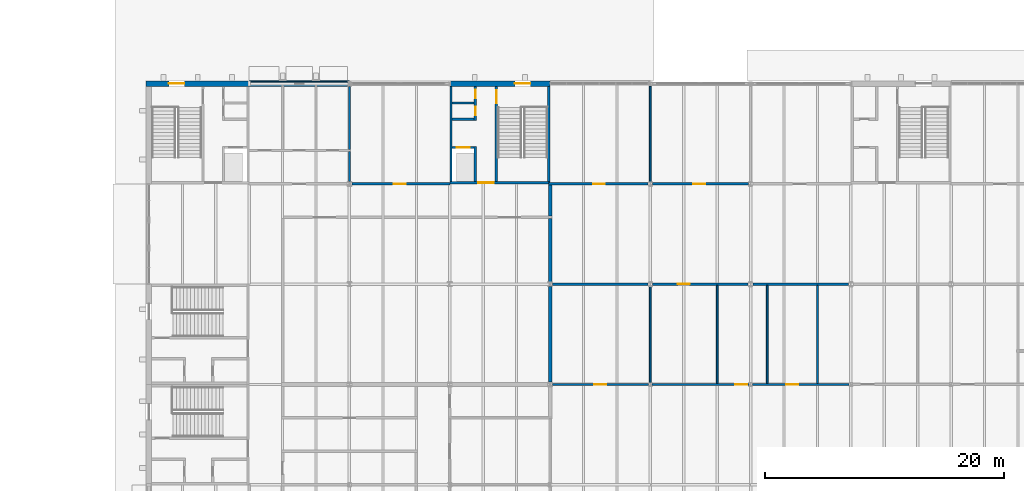
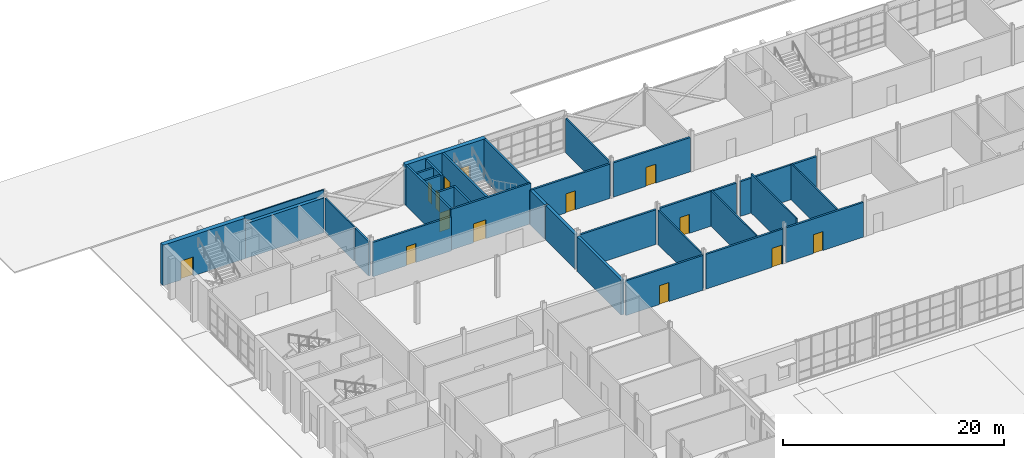
# One storey, part 91 of 116: 32 walls, 14 doors, 14 openings.
"""IFC4 building model written with IfcOpenShell, lengths in metres."""

import ifcopenshell
import ifcopenshell.guid

model = None  # the IFC model being written
_history = None  # IfcOwnerHistory: only IFC2X3 demands one
_inside = {}  # id of a spatial element -> (the spatial element, [elements in it])
_under = {}  # id of a project, library or spatial element -> (it, [spatial elements below it])
_declared = {}  # id of a project -> (the project, [libraries it declares])
_typed = {}  # id of a type object -> (the type object, [elements of that type])
_made_of = {}  # id of a material, layer set ... -> (it, [elements and type objects made of it])


def new_model(schema):
    """Start an empty IFC model of exactly this schema.

    Asked for "IFC4X3", IfcOpenShell would pick the latest addendum, in which some entities
    have other attributes; the version numbers below select the first issue.
    IFC2X3 requires an IfcOwnerHistory on every rooted entity: one is made here for all.
    """
    global model, _history
    if schema == "IFC4X3":
        model = ifcopenshell.file(schema_version=(4, 3, 0, 0))
    else:
        model = ifcopenshell.file(schema=schema)
    _inside.clear()
    _under.clear()
    _declared.clear()
    _typed.clear()
    _made_of.clear()
    _history = None
    if model.schema == "IFC2X3":
        org = make("IfcOrganization", Name="unknown")
        user = make(
            "IfcPersonAndOrganization",
            ThePerson=make("IfcPerson", FamilyName="unknown"),
            TheOrganization=org,
        )
        app = make(
            "IfcApplication",
            ApplicationDeveloper=org,
            Version="unknown",
            ApplicationFullName="unknown",
            ApplicationIdentifier="unknown",
        )
        _history = make(
            "IfcOwnerHistory",
            OwningUser=user,
            OwningApplication=app,
            ChangeAction="ADDED",
            CreationDate=0,
        )
    return model


def make(cls, **values):
    """One entity of the class cls with the attributes given. An attribute that is None is left unset."""
    return model.create_entity(
        cls, **{name: value for name, value in values.items() if value is not None}
    )


def rooted(cls, **values):
    """An entity with a GlobalId (a new one), such as an element, a storey or a relation."""
    return make(cls, GlobalId=ifcopenshell.guid.new(), OwnerHistory=_history, **values)


def si_unit(unit_type, name, prefix=None):
    """IfcSIUnit, for example si_unit("LENGTHUNIT", "METRE", prefix="MILLI")."""
    return make("IfcSIUnit", UnitType=unit_type, Prefix=prefix, Name=name)


def assignment(units):
    """IfcUnitAssignment: the units of a project."""
    return None if units is None else make("IfcUnitAssignment", Units=units)


def point(xyz):
    """IfcCartesianPoint."""
    return None if xyz is None else make("IfcCartesianPoint", Coordinates=xyz)


def direction(xyz):
    """IfcDirection."""
    return None if xyz is None else make("IfcDirection", DirectionRatios=xyz)


def frame(location, z_axis=None, x_axis=None):
    """IfcAxis2Placement3D, a coordinate frame: its origin and axes. An axis left out is left unset."""
    return make(
        "IfcAxis2Placement3D",
        Location=point(location),
        Axis=direction(z_axis),
        RefDirection=direction(x_axis),
    )


def frame_2d(location, x_axis=None):
    """IfcAxis2Placement2D, a coordinate frame in the plane: its origin and x axis."""
    return make(
        "IfcAxis2Placement2D", Location=point(location), RefDirection=direction(x_axis)
    )


def origin():
    """The frame at (0, 0, 0) with its axes left unset."""
    return frame((0.0, 0.0, 0.0))


def place(relative_to, where):
    """IfcLocalPlacement: puts the frame where relative to a parent placement (None: the world)."""
    return make(
        "IfcLocalPlacement", PlacementRelTo=relative_to, RelativePlacement=where
    )


def context(
    kind, dimensions, precision=None, world=None, true_north=None, identifier=None
):
    """IfcGeometricRepresentationContext, for example the 3D "Model" context."""
    return make(
        "IfcGeometricRepresentationContext",
        ContextIdentifier=identifier,
        ContextType=kind,
        CoordinateSpaceDimension=dimensions,
        Precision=precision,
        WorldCoordinateSystem=world,
        TrueNorth=true_north,
    )


def subcontext(parent, identifier, kind, view, scale=None):
    """IfcGeometricRepresentationSubContext, for example "Body" below "Model"."""
    return make(
        "IfcGeometricRepresentationSubContext",
        ContextIdentifier=identifier,
        ContextType=kind,
        ParentContext=parent,
        TargetScale=scale,
        TargetView=view,
    )


def project(units=None, contexts=None):
    """IfcProject with its units and contexts."""
    return rooted(
        "IfcProject",
        Name="project",
        RepresentationContexts=contexts,
        UnitsInContext=assignment(units),
    )


def spatial(cls, under=None, at=None, **own):
    """A site, building, storey or space (cls), placed at a placement, below another one or the project."""
    s = rooted(cls, ObjectPlacement=at, **own)
    if under is not None:
        _under.setdefault(under.id(), (under, []))[1].append(s)
    return s


def profile(cls, at=None, kind="AREA", **sizes):
    """A parametric profile (cls). Its sizes go by their IFC names, for example OverallWidth=200.0."""
    return make(cls, ProfileType=kind, Position=at, **sizes)


def rectangle(**sizes):
    """IfcRectangleProfileDef."""
    return profile("IfcRectangleProfileDef", **sizes)


def extrude(swept, where, along, depth):
    """IfcExtrudedAreaSolid: the profile swept, set in the frame where, extruded along a direction by depth."""
    return make(
        "IfcExtrudedAreaSolid",
        SweptArea=swept,
        Position=where,
        ExtrudedDirection=direction(along),
        Depth=depth,
    )


def shape(context_of_items, identifier, shape_type, items):
    """IfcShapeRepresentation: the items that make up one representation, for example the "Body"."""
    return make(
        "IfcShapeRepresentation",
        ContextOfItems=context_of_items,
        RepresentationIdentifier=identifier,
        RepresentationType=shape_type,
        Items=items,
    )


def material(Name=None, Category=None):
    """IfcMaterial."""
    return make("IfcMaterial", Name=Name, Category=Category)


def layer(
    of_material, thickness, ventilated=None, Name=None, Category=None, Priority=None
):
    """IfcMaterialLayer: one layer of a wall or slab, of a material (None: an air gap)."""
    return make(
        "IfcMaterialLayer",
        Material=of_material,
        LayerThickness=thickness,
        IsVentilated=ventilated,
        Name=Name,
        Category=Category,
        Priority=Priority,
    )


def layer_set(layers, Name=None):
    """IfcMaterialLayerSet."""
    return make("IfcMaterialLayerSet", MaterialLayers=layers, LayerSetName=Name)


def made_of(thing, what):
    """Note that an element or type object is made of a material, layer set ...; save() writes the relation."""
    if what is not None:
        _made_of.setdefault(what.id(), (what, []))[1].append(thing)
    return thing


def type_object(cls, material=None, **own):
    """A type object (cls), such as IfcWallType, which elements share."""
    return made_of(rooted(cls, **own), material)


def element(
    cls,
    number,
    at=None,
    inside=None,
    cuts=None,
    type_object=None,
    material=None,
    context=None,
    identifier="Body",
    shape_type=None,
    held_by="IfcProductDefinitionShape",
    body=None,
    shapes=None,
    **own,
):
    """One element of the class cls, such as IfcWall. Its Tag is "e" and its number.

    at: its placement. inside: the storey or other place that contains it. cuts: it is an
    opening in that element (IfcRelVoidsElement). A single representation is given by context,
    identifier, shape_type and body (its items); several are given by shapes. held_by: the class
    of the entity that holds the representations. save() writes the other relations.
    """
    e = rooted(cls, Tag="e%d" % number, ObjectPlacement=at, **own)
    if body is not None:
        shapes = [shape(context, identifier, shape_type, body)]
    if shapes is not None:
        e.Representation = make(held_by, Representations=shapes)
    if inside is not None:
        _inside.setdefault(inside.id(), (inside, []))[1].append(e)
    if cuts is not None:
        rooted(
            "IfcRelVoidsElement", RelatingBuildingElement=cuts, RelatedOpeningElement=e
        )
    if type_object is not None:
        _typed.setdefault(type_object.id(), (type_object, []))[1].append(e)
    return made_of(e, material)


def fill(opening, filler):
    """IfcRelFillsElement: the door or window that sits in an opening."""
    return rooted(
        "IfcRelFillsElement",
        RelatingOpeningElement=opening,
        RelatedBuildingElement=filler,
    )


def aggregate(whole, parts):
    """IfcRelAggregates: a whole, such as a stair, and the parts it consists of."""
    return rooted("IfcRelAggregates", RelatingObject=whole, RelatedObjects=parts)


def save(model, path):
    """Write the relations noted so far, then the file.

    IfcRelAggregates (storeys below a building ...), IfcRelContainedInSpatialStructure (elements
    in a storey), IfcRelDefinesByType, IfcRelAssociatesMaterial and IfcRelDeclares: one each for
    every whole, place, type object, material and project.
    """
    for whole, parts in _under.values():
        aggregate(whole, parts)
    for where, things in _inside.values():
        rooted(
            "IfcRelContainedInSpatialStructure",
            RelatedElements=things,
            RelatingStructure=where,
        )
    for kind, things in _typed.values():
        rooted("IfcRelDefinesByType", RelatedObjects=things, RelatingType=kind)
    for what, things in _made_of.values():
        rooted("IfcRelAssociatesMaterial", RelatedObjects=things, RelatingMaterial=what)
    for by, libraries in _declared.values():
        rooted("IfcRelDeclares", RelatingContext=by, RelatedDefinitions=libraries)
    model.write(path)


model = new_model("IFC4")

# Units and contexts
model_context = context("Model", 3, precision=1e-05, world=origin(), true_north=direction((0.0, 1.0)))
body_context = subcontext(model_context, "Body", "Model", "MODEL_VIEW")
ifc_project = project(units=[si_unit("LENGTHUNIT", "METRE"), si_unit("AREAUNIT", "SQUARE_METRE"), si_unit("VOLUMEUNIT", "CUBIC_METRE"), si_unit("PLANEANGLEUNIT", "RADIAN"), si_unit("MASSUNIT", "GRAM", prefix="KILO")], contexts=[model_context])

# Site, building, storey
site_placement = place(None, origin())
site = spatial("IfcSite", under=ifc_project, at=site_placement, CompositionType="ELEMENT")
building_placement = place(site_placement, origin())
building = spatial("IfcBuilding", under=site, at=building_placement, Name="Ardhachandra Cancer Care Centre", CompositionType="ELEMENT")
storey_placement = place(building_placement, origin())
storey = spatial("IfcBuildingStorey", under=building, at=storey_placement, Name="L00", CompositionType="ELEMENT", Elevation=0.0)

# Walls
ifc_material_1 = material(Name="Brick masonry", Category="masonry")
ifc_layer_1 = layer(ifc_material_1, 0.300048828125)
ifc_layer_set_1 = layer_set([ifc_layer_1], Name="Brick masonry")
wall_type_1 = type_object("IfcWallType", Name="COMPARTMENT WALL 300", PredefinedType="SOLIDWALL", material=ifc_layer_set_1)
wall_1_placement = place(storey_placement, frame((44.39990234375, 71.595458984375, 0.0), z_axis=(0.0, 0.0, 1.0), x_axis=(0.0, 1.0, 0.0)))
element("IfcWall", 1, at=wall_1_placement, inside=storey, type_object=wall_type_1, Name="R/wall/L00/v0044400_0071596", PredefinedType="SOLIDWALL", context=body_context, shape_type="SweptSolid", body=[
    extrude(rectangle(XDim=8.009033203125, YDim=0.300048828125, at=frame_2d((4.00439453125, 0.0))), origin(), (0.0, 0.0, 1.0), 3.85009765625),
])
wall_2_placement = place(storey_placement, frame((44.39990234375, 79.99560546875, 0.0), z_axis=(0.0, 0.0, 1.0), x_axis=(0.0, 1.0, 0.0)))
element("IfcWall", 2, at=wall_2_placement, inside=storey, type_object=wall_type_1, Name="R/wall/L00/v0044400_0079996", PredefinedType="SOLIDWALL", context=body_context, shape_type="SweptSolid", body=[
    extrude(rectangle(XDim=5.304443359375, YDim=0.300048828125, at=frame_2d((2.65234375, 0.0))), origin(), (0.0, 0.0, 1.0), 3.85009765625),
])
wall_3_placement = place(storey_placement, frame((44.39990234375, 85.5, 0.0), z_axis=(0.0, 0.0, 1.0), x_axis=(0.0, 1.0, 0.0)))
element("IfcWall", 3, at=wall_3_placement, inside=storey, type_object=wall_type_1, Name="R/wall/L00/v0044400_0085500", PredefinedType="SOLIDWALL", context=body_context, shape_type="SweptSolid", body=[
    extrude(rectangle(XDim=2.60009765625, YDim=0.300048828125, at=frame_2d((1.300048828125, 0.0))), origin(), (0.0, 0.0, 1.0), 3.800048828125),
])

# Wall, opening, door
ifc_material_2 = material(Name="Gypsum board corridor partition on steel studs", Category="steel")
ifc_layer_2 = layer(ifc_material_2, 0.199951171875)
ifc_layer_set_2 = layer_set([ifc_layer_2], Name="Gypsum board corridor partition on steel studs")
wall_type_2 = type_object("IfcWallType", Name="CORRIDOR WALL 200", PredefinedType="PARTITIONING", material=ifc_layer_set_2)
wall_4_placement = place(storey_placement, frame((44.595458984375, 71.39990234375, 0.0), z_axis=(0.0, 0.0, 1.0), x_axis=(1.0, 0.0, 0.0)))
wall_4 = element("IfcWall", 4, at=wall_4_placement, inside=storey, type_object=wall_type_2, Name="R/wall/L00/h0071400_0044596", PredefinedType="PARTITIONING", context=body_context, shape_type="SweptSolid", body=[
    extrude(rectangle(XDim=8.054443359375, YDim=0.199951171875, at=frame_2d((4.02734375, 0.0))), origin(), (0.0, 0.0, 1.0), 3.85009765625),
])
opening_1_placement = place(wall_4_placement, frame((3.50439453125, 0.0, 0.0)))
opening_1 = element("IfcOpeningElement", 5, at=opening_1_placement, cuts=wall_4, Name="Opening L00-0018", PredefinedType="OPENING", context=body_context, shape_type="SweptSolid", body=[
    extrude(rectangle(XDim=1.0, YDim=2.10009765625, at=frame_2d((0.5, 1.050048828125))), frame((0.0, 0.10986328125, 0.0), z_axis=(0.0, -1.0, 0.0), x_axis=(1.0, 0.0, 0.0)), (0.0, 0.0, 1.0), 0.219970703125),
])
ifc_material_3 = material(Name="Timber fire door with smoke seals", Category="wood")
door_type_1 = type_object("IfcDoorType", Name="FIRE DOOR SINGLE 1000x2100 FD30S", OperationType="NOTDEFINED", PredefinedType="DOOR", material=ifc_material_3)
door_1_placement = place(opening_1_placement, origin())
door_1 = element("IfcDoor", 6, at=door_1_placement, inside=storey, type_object=door_type_1, Name="Door L00-0018", OperationType="SINGLE_SWING_RIGHT", OverallHeight=2.10009765625, OverallWidth=1.0, PredefinedType="DOOR", context=body_context, shape_type="SweptSolid", body=[
    extrude(rectangle(XDim=1.0, YDim=2.10009765625, at=frame_2d((0.5, 1.050048828125))), frame((0.0, 0.02490234375, 0.0), z_axis=(0.0, -1.0, 0.0), x_axis=(1.0, 0.0, 0.0)), (0.0, 0.0, 1.0), 0.050048828125),
])
fill(opening_1, door_1)

wall_5_placement = place(storey_placement, frame((52.949951171875, 71.39990234375, 0.0), z_axis=(0.0, 0.0, 1.0), x_axis=(1.0, 0.0, 0.0)))
wall_5 = element("IfcWall", 7, at=wall_5_placement, inside=storey, type_object=wall_type_2, Name="R/wall/L00/h0071400_0052950", PredefinedType="PARTITIONING", context=body_context, shape_type="SweptSolid", body=[
    extrude(rectangle(XDim=8.10009765625, YDim=0.199951171875, at=frame_2d((4.050048828125, 0.0))), origin(), (0.0, 0.0, 1.0), 3.85009765625),
])
opening_2_placement = place(wall_5_placement, frame((6.949951171875, 0.0, 0.0)))
opening_2 = element("IfcOpeningElement", 8, at=opening_2_placement, cuts=wall_5, Name="Opening L00-0019", PredefinedType="OPENING", context=body_context, shape_type="SweptSolid", body=[
    extrude(rectangle(XDim=1.0, YDim=2.10009765625, at=frame_2d((0.5, 1.050048828125))), frame((0.0, 0.10986328125, 0.0), z_axis=(0.0, -1.0, 0.0), x_axis=(1.0, 0.0, 0.0)), (0.0, 0.0, 1.0), 0.219970703125),
])
door_2_placement = place(opening_2_placement, origin())
door_2 = element("IfcDoor", 9, at=door_2_placement, inside=storey, type_object=door_type_1, Name="Door L00-0019", OperationType="SINGLE_SWING_LEFT", OverallHeight=2.10009765625, OverallWidth=1.0, PredefinedType="DOOR", context=body_context, shape_type="SweptSolid", body=[
    extrude(rectangle(XDim=1.0, YDim=2.10009765625, at=frame_2d((0.5, 1.050048828125))), frame((0.0, 0.02490234375, 0.0), z_axis=(0.0, -1.0, 0.0), x_axis=(1.0, 0.0, 0.0)), (0.0, 0.0, 1.0), 0.050048828125),
])
fill(opening_2, door_2)

wall_6_placement = place(storey_placement, frame((61.35009765625, 71.39990234375, 0.0), z_axis=(0.0, 0.0, 1.0), x_axis=(1.0, 0.0, 0.0)))
wall_6 = element("IfcWall", 10, at=wall_6_placement, inside=storey, type_object=wall_type_2, Name="R/wall/L00/h0071400_0061350", PredefinedType="PARTITIONING", context=body_context, shape_type="SweptSolid", body=[
    extrude(rectangle(XDim=8.099853515625, YDim=0.199951171875, at=frame_2d((4.0498046875, 0.0))), origin(), (0.0, 0.0, 1.0), 3.85009765625),
])
opening_3_placement = place(wall_6_placement, frame((2.85009765625, 0.0, 0.0)))
opening_3 = element("IfcOpeningElement", 11, at=opening_3_placement, cuts=wall_6, Name="Opening L00-0020", PredefinedType="OPENING", context=body_context, shape_type="SweptSolid", body=[
    extrude(rectangle(XDim=1.0, YDim=2.10009765625, at=frame_2d((0.5, 1.050048828125))), frame((0.0, 0.10986328125, 0.0), z_axis=(0.0, -1.0, 0.0), x_axis=(1.0, 0.0, 0.0)), (0.0, 0.0, 1.0), 0.219970703125),
])
door_3_placement = place(opening_3_placement, origin())
door_3 = element("IfcDoor", 12, at=door_3_placement, inside=storey, type_object=door_type_1, Name="Door L00-0020", OperationType="SINGLE_SWING_LEFT", OverallHeight=2.10009765625, OverallWidth=1.0, PredefinedType="DOOR", context=body_context, shape_type="SweptSolid", body=[
    extrude(rectangle(XDim=1.0, YDim=2.10009765625, at=frame_2d((0.5, 1.050048828125))), frame((0.0, 0.02490234375, 0.0), z_axis=(0.0, -1.0, 0.0), x_axis=(1.0, 0.0, 0.0)), (0.0, 0.0, 1.0), 0.050048828125),
])
fill(opening_3, door_3)

# Wall
wall_7_placement = place(storey_placement, frame((44.595458984375, 79.800048828125, 0.0), z_axis=(0.0, 0.0, 1.0), x_axis=(1.0, 0.0, 0.0)))
element("IfcWall", 13, at=wall_7_placement, inside=storey, type_object=wall_type_2, Name="R/wall/L00/h0079800_0044596", PredefinedType="PARTITIONING", context=body_context, shape_type="SweptSolid", body=[
    extrude(rectangle(XDim=8.004638671875, YDim=0.199951171875, at=frame_2d((4.00244140625, 0.0))), origin(), (0.0, 0.0, 1.0), 3.85009765625),
])

# Wall, opening, door
wall_8_placement = place(storey_placement, frame((53.0, 79.800048828125, 0.0), z_axis=(0.0, 0.0, 1.0), x_axis=(1.0, 0.0, 0.0)))
wall_8 = element("IfcWall", 14, at=wall_8_placement, inside=storey, type_object=wall_type_2, Name="R/wall/L00/h0079800_0053000", PredefinedType="PARTITIONING", context=body_context, shape_type="SweptSolid", body=[
    extrude(rectangle(XDim=8.0, YDim=0.199951171875, at=frame_2d((4.0, 0.0))), origin(), (0.0, 0.0, 1.0), 3.85009765625),
])
opening_4_placement = place(wall_8_placement, frame((2.10009765625, 0.0, 0.0)))
opening_4 = element("IfcOpeningElement", 15, at=opening_4_placement, cuts=wall_8, Name="Opening L00-0031", PredefinedType="OPENING", context=body_context, shape_type="SweptSolid", body=[
    extrude(rectangle(XDim=1.0, YDim=2.10009765625, at=frame_2d((0.5, 1.050048828125))), frame((0.0, 0.10986328125, 0.0), z_axis=(0.0, -1.0, 0.0), x_axis=(1.0, 0.0, 0.0)), (0.0, 0.0, 1.0), 0.219970703125),
])
door_4_placement = place(opening_4_placement, origin())
door_4 = element("IfcDoor", 16, at=door_4_placement, inside=storey, type_object=door_type_1, Name="Door L00-0031", OperationType="SINGLE_SWING_LEFT", OverallHeight=2.10009765625, OverallWidth=1.0, PredefinedType="DOOR", context=body_context, shape_type="SweptSolid", body=[
    extrude(rectangle(XDim=1.0, YDim=2.10009765625, at=frame_2d((0.5, 1.050048828125))), frame((0.0, 0.02490234375, 0.0), z_axis=(0.0, -1.0, 0.0), x_axis=(1.0, 0.0, 0.0)), (0.0, 0.0, 1.0), 0.050048828125),
])
fill(opening_4, door_4)

# Wall
wall_9_placement = place(storey_placement, frame((61.39990234375, 79.800048828125, 0.0), z_axis=(0.0, 0.0, 1.0), x_axis=(1.0, 0.0, 0.0)))
element("IfcWall", 17, at=wall_9_placement, inside=storey, type_object=wall_type_2, Name="R/wall/L00/h0079800_0061400", PredefinedType="PARTITIONING", context=body_context, shape_type="SweptSolid", body=[
    extrude(rectangle(XDim=8.0, YDim=0.199951171875, at=frame_2d((4.0, 0.0))), origin(), (0.0, 0.0, 1.0), 3.85009765625),
])

# Wall, opening, door
wall_10_placement = place(storey_placement, frame((27.79541015625, 88.199951171875, 0.0), z_axis=(0.0, 0.0, 1.0), x_axis=(1.0, 0.0, 0.0)))
wall_10 = element("IfcWall", 18, at=wall_10_placement, inside=storey, type_object=wall_type_2, Name="R/wall/L00/h0088200_0027796", PredefinedType="PARTITIONING", context=body_context, shape_type="SweptSolid", body=[
    extrude(rectangle(XDim=8.20458984375, YDim=0.199951171875, at=frame_2d((4.102294921875, 0.0))), origin(), (0.0, 0.0, 1.0), 3.800048828125),
])
opening_5_placement = place(wall_10_placement, frame((3.50439453125, 0.0, 0.0)))
opening_5 = element("IfcOpeningElement", 19, at=opening_5_placement, cuts=wall_10, Name="Opening L00-0036", PredefinedType="OPENING", context=body_context, shape_type="SweptSolid", body=[
    extrude(rectangle(XDim=1.0, YDim=2.10009765625, at=frame_2d((0.5, 1.050048828125))), frame((0.0, 0.10986328125, 0.0), z_axis=(0.0, -1.0, 0.0), x_axis=(1.0, 0.0, 0.0)), (0.0, 0.0, 1.0), 0.219970703125),
])
door_5_placement = place(opening_5_placement, origin())
door_5 = element("IfcDoor", 20, at=door_5_placement, inside=storey, type_object=door_type_1, Name="Door L00-0036", OperationType="SINGLE_SWING_LEFT", OverallHeight=2.10009765625, OverallWidth=1.0, PredefinedType="DOOR", context=body_context, shape_type="SweptSolid", body=[
    extrude(rectangle(XDim=1.0, YDim=2.10009765625, at=frame_2d((0.5, 1.050048828125))), frame((0.0, 0.02490234375, 0.0), z_axis=(0.0, -1.0, 0.0), x_axis=(1.0, 0.0, 0.0)), (0.0, 0.0, 1.0), 0.050048828125),
])
fill(opening_5, door_5)

wall_11_placement = place(storey_placement, frame((44.25, 88.199951171875, 0.0), z_axis=(0.0, 0.0, 1.0), x_axis=(1.0, 0.0, 0.0)))
wall_11 = element("IfcWall", 21, at=wall_11_placement, inside=storey, type_object=wall_type_2, Name="R/wall/L00/h0088200_0044250", PredefinedType="PARTITIONING", context=body_context, shape_type="SweptSolid", body=[
    extrude(rectangle(XDim=8.3701171875, YDim=0.199951171875, at=frame_2d((4.18505859375, 0.0))), origin(), (0.0, 0.0, 1.0), 3.800048828125),
])
opening_6_placement = place(wall_11_placement, frame((3.75, 0.0, 0.0)))
opening_6 = element("IfcOpeningElement", 22, at=opening_6_placement, cuts=wall_11, Name="Opening L00-0037", PredefinedType="OPENING", context=body_context, shape_type="SweptSolid", body=[
    extrude(rectangle(XDim=1.0, YDim=2.10009765625, at=frame_2d((0.5, 1.050048828125))), frame((0.0, 0.10986328125, 0.0), z_axis=(0.0, -1.0, 0.0), x_axis=(1.0, 0.0, 0.0)), (0.0, 0.0, 1.0), 0.219970703125),
])
door_6_placement = place(opening_6_placement, origin())
door_6 = element("IfcDoor", 23, at=door_6_placement, inside=storey, type_object=door_type_1, Name="Door L00-0037", OperationType="SINGLE_SWING_RIGHT", OverallHeight=2.10009765625, OverallWidth=1.0, PredefinedType="DOOR", context=body_context, shape_type="SweptSolid", body=[
    extrude(rectangle(XDim=1.0, YDim=2.10009765625, at=frame_2d((0.5, 1.050048828125))), frame((0.0, 0.02490234375, 0.0), z_axis=(0.0, -1.0, 0.0), x_axis=(1.0, 0.0, 0.0)), (0.0, 0.0, 1.0), 0.050048828125),
])
fill(opening_6, door_6)

wall_12_placement = place(storey_placement, frame((52.97998046875, 88.199951171875, 0.0), z_axis=(0.0, 0.0, 1.0), x_axis=(1.0, 0.0, 0.0)))
wall_12 = element("IfcWall", 24, at=wall_12_placement, inside=storey, type_object=wall_type_2, Name="R/wall/L00/h0088200_0052980", PredefinedType="PARTITIONING", context=body_context, shape_type="SweptSolid", body=[
    extrude(rectangle(XDim=8.0400390625, YDim=0.199951171875, at=frame_2d((4.02001953125, 0.0))), origin(), (0.0, 0.0, 1.0), 3.800048828125),
])
opening_7_placement = place(wall_12_placement, frame((3.419921875, 0.0, 0.0)))
opening_7 = element("IfcOpeningElement", 25, at=opening_7_placement, cuts=wall_12, Name="Opening L00-0038", PredefinedType="OPENING", context=body_context, shape_type="SweptSolid", body=[
    extrude(rectangle(XDim=1.0, YDim=2.10009765625, at=frame_2d((0.5, 1.050048828125))), frame((0.0, 0.10986328125, 0.0), z_axis=(0.0, -1.0, 0.0), x_axis=(1.0, 0.0, 0.0)), (0.0, 0.0, 1.0), 0.219970703125),
])
door_7_placement = place(opening_7_placement, origin())
door_7 = element("IfcDoor", 26, at=door_7_placement, inside=storey, type_object=door_type_1, Name="Door L00-0038", OperationType="SINGLE_SWING_RIGHT", OverallHeight=2.10009765625, OverallWidth=1.0, PredefinedType="DOOR", context=body_context, shape_type="SweptSolid", body=[
    extrude(rectangle(XDim=1.0, YDim=2.10009765625, at=frame_2d((0.5, 1.050048828125))), frame((0.0, 0.02490234375, 0.0), z_axis=(0.0, -1.0, 0.0), x_axis=(1.0, 0.0, 0.0)), (0.0, 0.0, 1.0), 0.050048828125),
])
fill(opening_7, door_7)

# Wall
wall_13_placement = place(storey_placement, frame((27.60009765625, 88.3955078125, 0.0), z_axis=(0.0, 0.0, 1.0), x_axis=(0.0, 1.0, 0.0)))
element("IfcWall", 27, at=wall_13_placement, inside=storey, type_object=wall_type_2, Name="R/wall/L00/v0027600_0088396", PredefinedType="PARTITIONING", context=body_context, shape_type="SweptSolid", body=[
    extrude(rectangle(XDim=2.50439453125, YDim=0.199951171875, at=frame_2d((1.252197265625, 0.0))), origin(), (0.0, 0.0, 1.0), 3.800048828125),
])

# Wall, opening, door
ifc_material_4 = material(Name="Concrete M40", Category="concrete")
ifc_layer_3 = layer(ifc_material_4, 0.449951171875)
ifc_layer_set_3 = layer_set([ifc_layer_3], Name="Concrete M40")
wall_type_3 = type_object("IfcWallType", Name="Core exterior wall RC 450", PredefinedType="SOLIDWALL", material=ifc_layer_set_3)
wall_14_placement = place(storey_placement, frame((10.574951171875, 96.60009765625, 0.0), z_axis=(0.0, 0.0, 1.0), x_axis=(1.0, 0.0, 0.0)))
wall_14 = element("IfcWall", 28, at=wall_14_placement, inside=storey, type_object=wall_type_3, Name="Core wall K4 FAR", PredefinedType="SOLIDWALL", context=body_context, shape_type="SweptSolid", body=[
    extrude(rectangle(XDim=8.625, YDim=0.449951171875, at=frame_2d((4.3125, 0.0))), origin(), (0.0, 0.0, 1.0), 4.5),
])
opening_8_placement = place(wall_14_placement, frame((1.89990234375, 0.0, 0.0)))
opening_8 = element("IfcOpeningElement", 29, at=opening_8_placement, cuts=wall_14, Name="Opening L00-K04-6", PredefinedType="OPENING", context=body_context, shape_type="SweptSolid", body=[
    extrude(rectangle(XDim=1.300048828125, YDim=2.10009765625, at=frame_2d((0.64990234375, 1.050048828125))), frame((0.0, 0.23486328125, 0.0), z_axis=(0.0, -1.0, 0.0), x_axis=(1.0, 0.0, 0.0)), (0.0, 0.0, 1.0), 0.469970703125),
])
ifc_material_5 = material(Name="Steel door set", Category="steel")
door_type_2 = type_object("IfcDoorType", Name="Core exit double door 1300x2100 FD60S", OperationType="DOUBLE_DOOR_DOUBLE_SWING", PredefinedType="DOOR", material=ifc_material_5)
door_8_placement = place(opening_8_placement, origin())
door_8 = element("IfcDoor", 30, at=door_8_placement, inside=storey, type_object=door_type_2, Name="Stair exit door", OperationType="DOUBLE_DOOR_DOUBLE_SWING", OverallHeight=2.10009765625, OverallWidth=1.300048828125, PredefinedType="DOOR", context=body_context, shape_type="SweptSolid", body=[
    extrude(rectangle(XDim=1.300048828125, YDim=2.10009765625, at=frame_2d((0.64990234375, 1.050048828125))), frame((0.0, 0.02490234375, 0.0), z_axis=(0.0, -1.0, 0.0), x_axis=(1.0, 0.0, 0.0)), (0.0, 0.0, 1.0), 0.050048828125),
])
fill(opening_8, door_8)

wall_15_placement = place(storey_placement, frame((44.39990234375, 96.60009765625, 0.0), z_axis=(0.0, 0.0, 1.0), x_axis=(-1.0, 0.0, 0.0)))
wall_15 = element("IfcWall", 31, at=wall_15_placement, inside=storey, type_object=wall_type_3, Name="Core wall K5 FAR", PredefinedType="SOLIDWALL", context=body_context, shape_type="SweptSolid", body=[
    extrude(rectangle(XDim=8.39990234375, YDim=0.449951171875, at=frame_2d((4.199951171875, 0.0))), origin(), (0.0, 0.0, 1.0), 4.5),
])
opening_9_placement = place(wall_15_placement, frame((1.64990234375, 0.0, 0.0)))
opening_9 = element("IfcOpeningElement", 32, at=opening_9_placement, cuts=wall_15, Name="Opening L00-K05-6", PredefinedType="OPENING", context=body_context, shape_type="SweptSolid", body=[
    extrude(rectangle(XDim=1.300048828125, YDim=2.10009765625, at=frame_2d((0.64990234375, 1.050048828125))), frame((0.0, 0.23486328125, 0.0), z_axis=(0.0, -1.0, 0.0), x_axis=(1.0, 0.0, 0.0)), (0.0, 0.0, 1.0), 0.469970703125),
])
door_9_placement = place(opening_9_placement, origin())
door_9 = element("IfcDoor", 33, at=door_9_placement, inside=storey, type_object=door_type_2, Name="Stair exit door", OperationType="DOUBLE_DOOR_DOUBLE_SWING", OverallHeight=2.10009765625, OverallWidth=1.300048828125, PredefinedType="DOOR", context=body_context, shape_type="SweptSolid", body=[
    extrude(rectangle(XDim=1.300048828125, YDim=2.10009765625, at=frame_2d((0.64990234375, 1.050048828125))), frame((0.0, 0.02490234375, 0.0), z_axis=(0.0, -1.0, 0.0), x_axis=(1.0, 0.0, 0.0)), (0.0, 0.0, 1.0), 0.050048828125),
])
fill(opening_9, door_9)

ifc_material_6 = material(Name="Concrete M40", Category="concrete")
ifc_layer_4 = layer(ifc_material_6, 0.199951171875)
ifc_layer_set_4 = layer_set([ifc_layer_4], Name="Concrete M40")
wall_type_4 = type_object("IfcWallType", Name="Core wall RC 200", PredefinedType="SOLIDWALL", material=ifc_layer_set_4)
wall_16_placement = place(storey_placement, frame((44.39990234375, 88.300048828125, 0.0), z_axis=(0.0, 0.0, 1.0), x_axis=(-1.0, 0.0, 0.0)))
wall_16 = element("IfcWall", 34, at=wall_16_placement, inside=storey, type_object=wall_type_4, Name="Core wall K5 ENT", PredefinedType="SOLIDWALL", context=body_context, shape_type="SweptSolid", body=[
    extrude(rectangle(XDim=8.39990234375, YDim=0.199951171875, at=frame_2d((4.199951171875, 0.0))), origin(), (0.0, 0.0, 1.0), 4.5),
])
opening_10_placement = place(wall_16_placement, frame((4.72509765625, 0.0, 0.0)))
opening_10 = element("IfcOpeningElement", 35, at=opening_10_placement, cuts=wall_16, Name="Opening L00-K05-1", PredefinedType="OPENING", context=body_context, shape_type="SweptSolid", body=[
    extrude(rectangle(XDim=1.300048828125, YDim=2.10009765625, at=frame_2d((0.64990234375, 1.050048828125))), frame((0.0, 0.10986328125, 0.0), z_axis=(0.0, -1.0, 0.0), x_axis=(1.0, 0.0, 0.0)), (0.0, 0.0, 1.0), 0.219970703125),
])
ifc_material_7 = material(Name="Steel door set", Category="steel")
door_type_3 = type_object("IfcDoorType", Name="Core entry double door 1300x2100 FD60", OperationType="DOUBLE_DOOR_DOUBLE_SWING", PredefinedType="DOOR", material=ifc_material_7)
door_10_placement = place(opening_10_placement, origin())
door_10 = element("IfcDoor", 36, at=door_10_placement, inside=storey, type_object=door_type_3, Name="Core entry door", OperationType="DOUBLE_DOOR_DOUBLE_SWING", OverallHeight=2.10009765625, OverallWidth=1.300048828125, PredefinedType="DOOR", context=body_context, shape_type="SweptSolid", body=[
    extrude(rectangle(XDim=1.300048828125, YDim=2.10009765625, at=frame_2d((0.64990234375, 1.050048828125))), frame((0.0, 0.02490234375, 0.0), z_axis=(0.0, -1.0, 0.0), x_axis=(1.0, 0.0, 0.0)), (0.0, 0.0, 1.0), 0.050048828125),
])
fill(opening_10, door_10)

# Walls
for number, where, z_axis, x_axis, name in (
    (37, (44.300048828125, 88.39990234375, 0.0), (0.0, 0.0, 1.0), (0.0, 1.0, 0.0), "Core wall K5 UW"),
    (38, (36.10009765625, 88.39990234375, 0.0), (0.0, 0.0, 1.0), (0.0, 1.0, 0.0), "Core wall K5 UE"),
):
    element("IfcWall", number, at=place(storey_placement, frame(where, z_axis=z_axis, x_axis=x_axis)), inside=storey, type_object=wall_type_4, Name=name, PredefinedType="SOLIDWALL", context=body_context, shape_type="SweptSolid", body=[
        extrude(rectangle(XDim=7.97509765625, YDim=0.199951171875, at=frame_2d((3.987548828125, 0.0))), origin(), (0.0, 0.0, 1.0), 4.5),
    ])

# Wall, opening, door
wall_17_placement = place(storey_placement, frame((39.89990234375, 88.39990234375, 0.0), z_axis=(0.0, 0.0, 1.0), x_axis=(0.0, 1.0, 0.0)))
wall_17 = element("IfcWall", 39, at=wall_17_placement, inside=storey, type_object=wall_type_4, Name="Core wall K5 P1", PredefinedType="SOLIDWALL", context=body_context, shape_type="SweptSolid", body=[
    extrude(rectangle(XDim=7.97509765625, YDim=0.199951171875, at=frame_2d((3.987548828125, 0.0))), origin(), (0.0, 0.0, 1.0), 4.5),
])
opening_11_placement = place(wall_17_placement, frame((6.53759765625, 0.0, 0.0)))
opening_11 = element("IfcOpeningElement", 40, at=opening_11_placement, cuts=wall_17, Name="Opening L00-K05-2", PredefinedType="OPENING", context=body_context, shape_type="SweptSolid", body=[
    extrude(rectangle(XDim=1.10009765625, YDim=2.10009765625, at=frame_2d((0.550048828125, 1.050048828125))), frame((0.0, 0.10986328125, 0.0), z_axis=(0.0, -1.0, 0.0), x_axis=(1.0, 0.0, 0.0)), (0.0, 0.0, 1.0), 0.219970703125),
])
ifc_material_8 = material(Name="Steel door set", Category="steel")
door_type_4 = type_object("IfcDoorType", Name="Stair door 1100x2100 FD60S", OperationType="NOTDEFINED", PredefinedType="DOOR", material=ifc_material_8)
door_11_placement = place(opening_11_placement, origin())
door_11 = element("IfcDoor", 41, at=door_11_placement, inside=storey, type_object=door_type_4, Name="Stair door", OperationType="SINGLE_SWING_LEFT", OverallHeight=2.10009765625, OverallWidth=1.10009765625, PredefinedType="DOOR", context=body_context, shape_type="SweptSolid", body=[
    extrude(rectangle(XDim=1.10009765625, YDim=2.10009765625, at=frame_2d((0.550048828125, 1.050048828125))), frame((0.0, 0.02490234375, 0.0), z_axis=(0.0, -1.0, 0.0), x_axis=(1.0, 0.0, 0.0)), (0.0, 0.0, 1.0), 0.050048828125),
])
fill(opening_11, door_11)

# Wall
wall_18_placement = place(storey_placement, frame((38.14990234375, 88.39990234375, 0.0), z_axis=(0.0, 0.0, 1.0), x_axis=(0.0, 1.0, 0.0)))
element("IfcWall", 42, at=wall_18_placement, inside=storey, type_object=wall_type_4, Name="Core wall K5 P2A", PredefinedType="SOLIDWALL", context=body_context, shape_type="SweptSolid", body=[
    extrude(rectangle(XDim=2.9501953125, YDim=0.199951171875, at=frame_2d((1.47509765625, 0.0))), origin(), (0.0, 0.0, 1.0), 4.5),
])

# Wall, openings, doors
wall_19_placement = place(storey_placement, frame((38.14990234375, 93.52490234375, 0.0), z_axis=(0.0, 0.0, 1.0), x_axis=(0.0, 1.0, 0.0)))
wall_19 = element("IfcWall", 43, at=wall_19_placement, inside=storey, type_object=wall_type_4, Name="Core wall K5 P2B", PredefinedType="SOLIDWALL", context=body_context, shape_type="SweptSolid", body=[
    extrude(rectangle(XDim=2.85009765625, YDim=0.199951171875, at=frame_2d((1.425048828125, 0.0))), origin(), (0.0, 0.0, 1.0), 4.35009765625),
])
opening_12_placement = place(wall_19_placement, frame((0.425048828125, 0.0, 0.0)))
opening_12 = element("IfcOpeningElement", 44, at=opening_12_placement, cuts=wall_19, Name="Opening L00-K05-4", PredefinedType="OPENING", context=body_context, shape_type="SweptSolid", body=[
    extrude(rectangle(XDim=0.699951171875, YDim=2.10009765625, at=frame_2d((0.35009765625, 1.050048828125))), frame((0.0, 0.10986328125, 0.0), z_axis=(0.0, -1.0, 0.0), x_axis=(1.0, 0.0, 0.0)), (0.0, 0.0, 1.0), 0.219970703125),
])
opening_13_placement = place(wall_19_placement, frame((1.85009765625, 0.0, 0.0)))
opening_13 = element("IfcOpeningElement", 45, at=opening_13_placement, cuts=wall_19, Name="Opening L00-K05-5", PredefinedType="OPENING", context=body_context, shape_type="SweptSolid", body=[
    extrude(rectangle(XDim=0.699951171875, YDim=2.10009765625, at=frame_2d((0.35009765625, 1.050048828125))), frame((0.0, 0.10986328125, 0.0), z_axis=(0.0, -1.0, 0.0), x_axis=(1.0, 0.0, 0.0)), (0.0, 0.0, 1.0), 0.219970703125),
])
ifc_material_9 = material(Name="Steel door set", Category="steel")
door_type_5 = type_object("IfcDoorType", Name="Riser access door 700x2100 FD120S", OperationType="NOTDEFINED", PredefinedType="DOOR", material=ifc_material_9)
door_12_placement = place(opening_12_placement, origin())
door_12 = element("IfcDoor", 46, at=door_12_placement, inside=storey, type_object=door_type_5, Name="Riser access door", OperationType="SINGLE_SWING_RIGHT", OverallHeight=2.10009765625, OverallWidth=0.699951171875, PredefinedType="DOOR", context=body_context, shape_type="SweptSolid", body=[
    extrude(rectangle(XDim=0.699951171875, YDim=2.10009765625, at=frame_2d((0.35009765625, 1.050048828125))), frame((0.0, 0.02490234375, 0.0), z_axis=(0.0, -1.0, 0.0), x_axis=(1.0, 0.0, 0.0)), (0.0, 0.0, 1.0), 0.050048828125),
])
fill(opening_12, door_12)
door_13_placement = place(opening_13_placement, origin())
door_13 = element("IfcDoor", 47, at=door_13_placement, inside=storey, type_object=door_type_5, Name="Riser access door", OperationType="SINGLE_SWING_LEFT", OverallHeight=2.10009765625, OverallWidth=0.699951171875, PredefinedType="DOOR", context=body_context, shape_type="SweptSolid", body=[
    extrude(rectangle(XDim=0.699951171875, YDim=2.10009765625, at=frame_2d((0.35009765625, 1.050048828125))), frame((0.0, 0.02490234375, 0.0), z_axis=(0.0, -1.0, 0.0), x_axis=(1.0, 0.0, 0.0)), (0.0, 0.0, 1.0), 0.050048828125),
])
fill(opening_13, door_13)

# Wall, opening, door
wall_20_placement = place(storey_placement, frame((38.050048828125, 91.25, 0.0), z_axis=(0.0, 0.0, 1.0), x_axis=(-1.0, 0.0, 0.0)))
wall_20 = element("IfcWall", 48, at=wall_20_placement, inside=storey, type_object=wall_type_4, Name="Core wall K5 W1", PredefinedType="SOLIDWALL", context=body_context, shape_type="SweptSolid", body=[
    extrude(rectangle(XDim=1.85009765625, YDim=0.199951171875, at=frame_2d((0.925048828125, 0.0))), origin(), (0.0, 0.0, 1.0), 4.5),
])
opening_14_placement = place(wall_20_placement, frame((0.375, 0.0, 0.0)))
opening_14 = element("IfcOpeningElement", 49, at=opening_14_placement, cuts=wall_20, Name="Opening L00-K05-3", PredefinedType="OPENING", context=body_context, shape_type="SweptSolid", body=[
    extrude(rectangle(XDim=1.10009765625, YDim=2.10009765625, at=frame_2d((0.550048828125, 1.050048828125))), frame((0.0, 0.10986328125, 0.0), z_axis=(0.0, -1.0, 0.0), x_axis=(1.0, 0.0, 0.0)), (0.0, 0.0, 1.0), 0.219970703125),
])
ifc_material_10 = material(Name="Stainless steel (grade 304)", Category="steel")
door_type_6 = type_object("IfcDoorType", Name="Lift landing door 1100x2100", OperationType="DOUBLE_DOOR_SLIDING", PredefinedType="DOOR", material=ifc_material_10)
door_14_placement = place(opening_14_placement, origin())
door_14 = element("IfcDoor", 50, at=door_14_placement, inside=storey, type_object=door_type_6, Name="Lift landing door LF-K5-1", OperationType="DOUBLE_DOOR_SLIDING", OverallHeight=2.10009765625, OverallWidth=1.10009765625, PredefinedType="DOOR", context=body_context, shape_type="SweptSolid", body=[
    extrude(rectangle(XDim=1.10009765625, YDim=2.10009765625, at=frame_2d((0.550048828125, 1.050048828125))), frame((0.0, 0.02490234375, 0.0), z_axis=(0.0, -1.0, 0.0), x_axis=(1.0, 0.0, 0.0)), (0.0, 0.0, 1.0), 0.050048828125),
])
fill(opening_14, door_14)

# Walls
for number, where, z_axis, x_axis, name in (
    (51, (38.050048828125, 93.625, 0.0), (0.0, 0.0, 1.0), (-1.0, 0.0, 0.0), "Core wall K5 W2"),
    (52, (38.050048828125, 94.97509765625, 0.0), (0.0, 0.0, 1.0), (-1.0, 0.0, 0.0), "Core wall K5 DIV"),
):
    element("IfcWall", number, at=place(storey_placement, frame(where, z_axis=z_axis, x_axis=x_axis)), inside=storey, type_object=wall_type_4, Name=name, PredefinedType="SOLIDWALL", context=body_context, shape_type="SweptSolid", body=[
        extrude(rectangle(XDim=1.85009765625, YDim=0.199951171875, at=frame_2d((0.925048828125, 0.0))), origin(), (0.0, 0.0, 1.0), 4.35009765625),
    ])
ifc_material_11 = material(Name="Precast Concrete M30 fascia panel with brick slip facing", Category="masonry")
ifc_layer_5 = layer(ifc_material_11, 0.1298828125)
ifc_layer_set_5 = layer_set([ifc_layer_5], Name="Precast Concrete M30 fascia panel with brick slip facing")
wall_type_5 = type_object("IfcWallType", Name="Edge beam fascia 130", PredefinedType="SOLIDWALL", material=ifc_layer_set_5)
wall_21_placement = place(storey_placement, frame((19.199951171875, 96.760009765625, 3.8701171875), z_axis=(0.0, 0.0, 1.0), x_axis=(1.0, 0.0, 0.0)))
element("IfcWall", 53, at=wall_21_placement, inside=storey, type_object=wall_type_5, Name="E/fascia/L00/n/0019200_0096600", PredefinedType="SOLIDWALL", context=body_context, shape_type="SweptSolid", body=[
    extrude(rectangle(XDim=8.400146484375, YDim=0.1298828125, at=frame_2d((4.2001953125, 0.0))), origin(), (0.0, 0.0, 1.0), 0.6298828125),
])
ifc_material_12 = material(Name="Brick masonry (clay brick, cement mortar) with polyisocyanurate insulation", Category="masonry")
ifc_layer_6 = layer(ifc_material_12, 0.449951171875)
ifc_layer_set_6 = layer_set([ifc_layer_6], Name="Brick masonry (clay brick, cement mortar) with polyisocyanurate insulation")
wall_type_6 = type_object("IfcWallType", Name="Insulated brick wall 450", PredefinedType="SOLIDWALL", material=ifc_layer_set_6)
wall_22_placement = place(storey_placement, frame((19.199951171875, 96.60009765625, 0.0), z_axis=(0.0, 0.0, 1.0), x_axis=(1.0, 0.0, 0.0)))
element("IfcWall", 54, at=wall_22_placement, inside=storey, type_object=wall_type_6, Name="E/wall/L00/n/0019200_0096600", PredefinedType="SOLIDWALL", context=body_context, shape_type="SweptSolid", body=[
    extrude(rectangle(XDim=8.25, YDim=0.449951171875, at=frame_2d((4.125, 0.0))), origin(), (0.0, 0.0, 1.0), 3.85009765625),
])
ifc_material_13 = material(Name="Gypsum board partition on steel studs", Category="steel")
ifc_layer_7 = layer(ifc_material_13, 0.14990234375)
ifc_layer_set_7 = layer_set([ifc_layer_7], Name="Gypsum board partition on steel studs")
wall_type_7 = type_object("IfcWallType", Name="PARTITION 150", PredefinedType="PARTITIONING", material=ifc_layer_set_7)
wall_23_placement = place(storey_placement, frame((52.800048828125, 88.3798828125, 0.0), z_axis=(0.0, 0.0, 1.0), x_axis=(0.0, 1.0, 0.0)))
element("IfcWall", 55, at=wall_23_placement, inside=storey, type_object=wall_type_7, Name="R/wall/L00/v0052800_0088380", PredefinedType="PARTITIONING", context=body_context, shape_type="SweptSolid", body=[
    extrude(rectangle(XDim=7.9951171875, YDim=0.14990234375, at=frame_2d((3.99755859375, 0.0))), origin(), (0.0, 0.0, 1.0), 3.800048828125),
])
ifc_material_14 = material(Name="Gypsum board partition on steel studs", Category="steel")
ifc_layer_8 = layer(ifc_material_14, 0.14990234375)
ifc_layer_set_8 = layer_set([ifc_layer_8], Name="Gypsum board partition on steel studs")
wall_type_8 = type_object("IfcWallType", Name="PARTITION 150 EI 60", PredefinedType="PARTITIONING", material=ifc_layer_set_8)
wall_24_placement = place(storey_placement, frame((52.800048828125, 71.550048828125, 0.0), z_axis=(0.0, 0.0, 1.0), x_axis=(0.0, 1.0, 0.0)))
element("IfcWall", 56, at=wall_24_placement, inside=storey, type_object=wall_type_8, Name="R/wall/L00/v0052800_0071550", PredefinedType="PARTITIONING", context=body_context, shape_type="SweptSolid", body=[
    extrude(rectangle(XDim=8.050048828125, YDim=0.14990234375, at=frame_2d((4.02490234375, 0.0))), origin(), (0.0, 0.0, 1.0), 3.800048828125),
])
ifc_material_15 = material(Name="Tiled gypsum board partition on steel studs", Category="steel")
ifc_layer_9 = layer(ifc_material_15, 0.14990234375)
ifc_layer_set_9 = layer_set([ifc_layer_9], Name="Tiled gypsum board partition on steel studs")
wall_type_9 = type_object("IfcWallType", Name="WET ROOM PARTITION 150", PredefinedType="PARTITIONING", material=ifc_layer_set_9)
wall_25_placement = place(storey_placement, frame((27.60009765625, 91.10009765625, 0.0), z_axis=(0.0, 0.0, 1.0), x_axis=(0.0, 1.0, 0.0)))
element("IfcWall", 57, at=wall_25_placement, inside=storey, type_object=wall_type_9, Name="R/wall/L00/v0027600_0091100", PredefinedType="PARTITIONING", context=body_context, shape_type="SweptSolid", body=[
    extrude(rectangle(XDim=5.27490234375, YDim=0.14990234375, at=frame_2d((2.637451171875, 0.0))), origin(), (0.0, 0.0, 1.0), 3.800048828125),
])
wall_26_placement = place(storey_placement, frame((62.60009765625, 71.5, 0.0), z_axis=(0.0, 0.0, 1.0), x_axis=(0.0, 1.0, 0.0)))
element("IfcWall", 58, at=wall_26_placement, inside=storey, type_object=wall_type_9, Name="R/wall/L00/v0062600_0071500", PredefinedType="PARTITIONING", context=body_context, shape_type="SweptSolid", body=[
    extrude(rectangle(XDim=8.199951171875, YDim=0.14990234375, at=frame_2d((4.10009765625, 0.0))), origin(), (0.0, 0.0, 1.0), 4.35009765625),
])
wall_27_placement = place(storey_placement, frame((66.800048828125, 71.5, 0.0), z_axis=(0.0, 0.0, 1.0), x_axis=(0.0, 1.0, 0.0)))
element("IfcWall", 59, at=wall_27_placement, inside=storey, type_object=wall_type_9, Name="R/wall/L00/v0066800_0071500", PredefinedType="PARTITIONING", context=body_context, shape_type="SweptSolid", body=[
    extrude(rectangle(XDim=8.199951171875, YDim=0.14990234375, at=frame_2d((4.10009765625, 0.0))), origin(), (0.0, 0.0, 1.0), 3.949951171875),
])
ifc_material_16 = material(Name="Tiled gypsum board partition on steel studs", Category="steel")
ifc_layer_10 = layer(ifc_material_16, 0.14990234375)
ifc_layer_set_10 = layer_set([ifc_layer_10], Name="Tiled gypsum board partition on steel studs")
wall_type_10 = type_object("IfcWallType", Name="WET ROOM PARTITION 150 EI 60", PredefinedType="PARTITIONING", material=ifc_layer_set_10)
wall_28_placement = place(storey_placement, frame((58.39990234375, 71.5, 0.0), z_axis=(0.0, 0.0, 1.0), x_axis=(0.0, 1.0, 0.0)))
element("IfcWall", 60, at=wall_28_placement, inside=storey, type_object=wall_type_10, Name="R/wall/L00/v0058400_0071500", PredefinedType="PARTITIONING", context=body_context, shape_type="SweptSolid", body=[
    extrude(rectangle(XDim=8.199951171875, YDim=0.14990234375, at=frame_2d((4.10009765625, 0.0))), origin(), (0.0, 0.0, 1.0), 3.949951171875),
])

save(model, "model.ifc")
